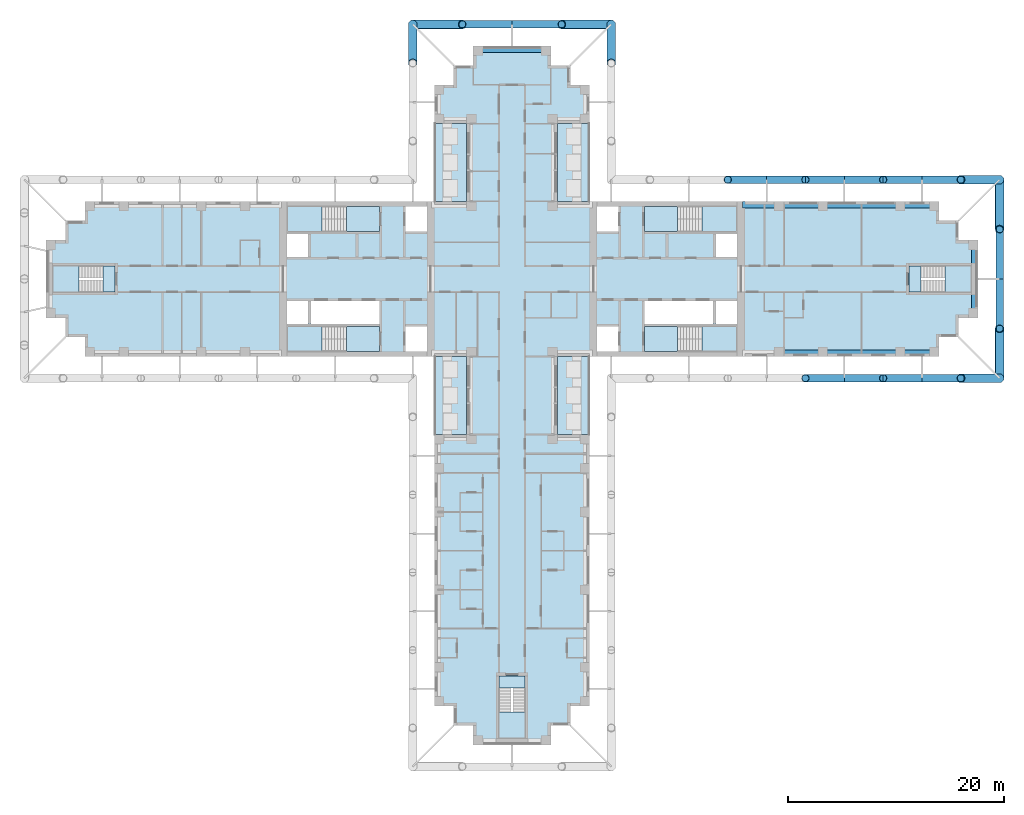
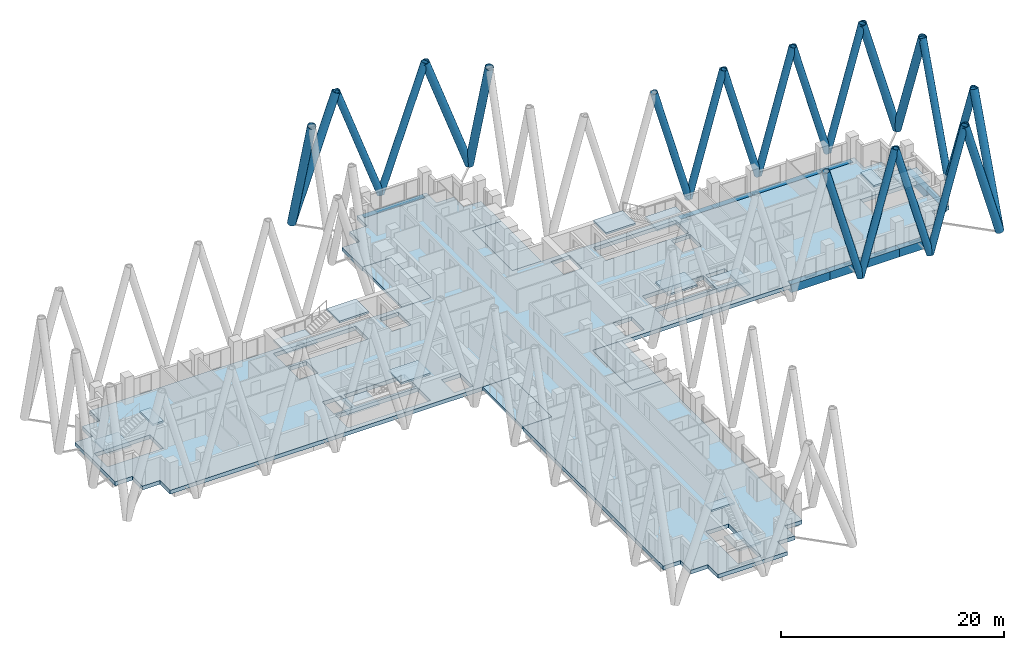
# One storey, part 2 of 14: 22 members, 19 slabs, 9 beams, 7 elements without a shape of their own.
"""IFC4 building model written with IfcOpenShell, lengths in metres."""

from ifc_helpers import new_model, si_unit, direction, frame, origin, origin_2d, place, context, subcontext, project, spatial, polyline, rectangle, hollow_circle, outline, extrude, material, layer, layer_set, material_profile, profile_set, type_object, element, aggregate, save


model = new_model("IFC4")

# Units and contexts
model_context = context("Model", 3, precision=1e-05, world=origin(), true_north=direction((0.0, 1.0)))
body_context = subcontext(model_context, "Body", "Model", "MODEL_VIEW")
ifc_project = project(units=[si_unit("LENGTHUNIT", "METRE"), si_unit("AREAUNIT", "SQUARE_METRE"), si_unit("VOLUMEUNIT", "CUBIC_METRE"), si_unit("PLANEANGLEUNIT", "RADIAN"), si_unit("MASSUNIT", "GRAM", prefix="KILO")], contexts=[model_context])

# Site, building, storey
site_placement = place(None, origin())
site = spatial("IfcSite", under=ifc_project, at=site_placement, CompositionType="ELEMENT")
building_placement = place(site_placement, origin())
building = spatial("IfcBuilding", under=site, at=building_placement, Name="Fustian Cross Tower", CompositionType="ELEMENT")
storey_placement = place(building_placement, frame((0.0, 0.0, 102.89990234375)))
storey = spatial("IfcBuildingStorey", under=building, at=storey_placement, Name="L32", CompositionType="ELEMENT", Elevation=102.89990234375)

# Members
ifc_material_1 = material(Name="Steel S355", Category="steel")
ifc_material_profile_1 = material_profile(ifc_material_1, hollow_circle(Radius=0.355712890625, WallThickness=0.031982421875, at=origin_2d()), Name="CHS 711x32")
ifc_profile_set_1 = profile_set([ifc_material_profile_1], Name="Steel S355")
member_type_1 = type_object("IfcMemberType", Name="DIAGRID DIAGONAL CHS 711x32", PredefinedType="BRACE", material=ifc_profile_set_1)
for number, where, z_axis, x_axis, name in (
    (1, (30.800048828125, -9.199951171875, 0.0), (-0.27075142585, 0.0, 0.962649295123), (0.0, -1.0, 0.0), "Diagrid diagonal E-S 06"),
    (2, (30.800048828125, -9.199951171875, 0.0), (0.270734410693, 0.0, 0.962654080585), (0.0, 1.0, 0.0), "Diagrid diagonal E-S 07"),
    (3, (38.0, -9.199951171875, 0.0), (-0.27075142585, 0.0, 0.962649295123), (0.0, -1.0, 0.0), "Diagrid diagonal E-S 08"),
    (4, (38.0, -9.199951171875, 0.0), (0.27075142585, 0.0, 0.962649295123), (0.0, 1.0, 0.0), "Diagrid diagonal E-S 09"),
):
    element("IfcMember", number, at=place(storey_placement, frame(where, z_axis=z_axis, x_axis=x_axis)), inside=storey, type_object=member_type_1, Name=name, PredefinedType="BRACE", context=body_context, shape_type="SweptSolid", body=[
        extrude(hollow_circle(Radius=0.355712890625, WallThickness=0.031982421875, at=origin_2d()), origin(), (0.0, 0.0, 1.0), 13.296630859375),
    ])
for number, where, z_axis, x_axis, name in (
    (5, (45.199951171875, 0.0, 0.0), (0.0, -0.338203942177, 0.941072841759), (1.0, 0.0, 0.0), "Diagrid diagonal E-end 02"),
    (6, (45.199951171875, 0.0, 0.0), (0.0, 0.338203942177, 0.941072841759), (-1.0, 0.0, 0.0), "Diagrid diagonal E-end 03"),
):
    element("IfcMember", number, at=place(storey_placement, frame(where, z_axis=z_axis, x_axis=x_axis)), inside=storey, type_object=member_type_1, Name=name, PredefinedType="BRACE", context=body_context, shape_type="SweptSolid", body=[
        extrude(hollow_circle(Radius=0.355712890625, WallThickness=0.031982421875, at=origin_2d()), origin(), (0.0, 0.0, 1.0), 13.6015625),
    ])
for number, where, z_axis, x_axis, name in (
    (7, (38.0, 9.199951171875, 0.0), (0.27075142585, 0.0, 0.962649295123), (0.0, 1.0, 0.0), "Diagrid diagonal E-N 02"),
    (8, (38.0, 9.199951171875, 0.0), (-0.27075142585, 0.0, 0.962649295123), (0.0, -1.0, 0.0), "Diagrid diagonal E-N 03"),
    (9, (30.800048828125, 9.199951171875, 0.0), (0.270734410693, 0.0, 0.962654080585), (0.0, 1.0, 0.0), "Diagrid diagonal E-N 04"),
    (10, (30.800048828125, 9.199951171875, 0.0), (-0.27075142585, 0.0, 0.962649295123), (0.0, -1.0, 0.0), "Diagrid diagonal E-N 05"),
    (11, (23.60009765625, 9.199951171875, 0.0), (0.270734410693, 0.0, 0.962654080585), (0.0, 1.0, 0.0), "Diagrid diagonal E-N 06"),
    (12, (23.60009765625, 9.199951171875, 0.0), (-0.27075142585, 0.0, 0.962649295123), (0.0, -1.0, 0.0), "Diagrid diagonal E-N 07"),
):
    element("IfcMember", number, at=place(storey_placement, frame(where, z_axis=z_axis, x_axis=x_axis)), inside=storey, type_object=member_type_1, Name=name, PredefinedType="BRACE", context=body_context, shape_type="SweptSolid", body=[
        extrude(hollow_circle(Radius=0.355712890625, WallThickness=0.031982421875, at=origin_2d()), origin(), (0.0, 0.0, 1.0), 13.296630859375),
    ])
for number, where, z_axis, x_axis, name in (
    (13, (0.0, 23.60009765625, 0.0), (0.338203942177, 0.0, 0.941072841759), (0.0, 1.0, 0.0), "Diagrid diagonal N-end 02"),
    (14, (0.0, 23.60009765625, 0.0), (-0.338203942177, 0.0, 0.941072841759), (0.0, -1.0, 0.0), "Diagrid diagonal N-end 03"),
):
    element("IfcMember", number, at=place(storey_placement, frame(where, z_axis=z_axis, x_axis=x_axis)), inside=storey, type_object=member_type_1, Name=name, PredefinedType="BRACE", context=body_context, shape_type="SweptSolid", body=[
        extrude(hollow_circle(Radius=0.355712890625, WallThickness=0.031982421875, at=origin_2d()), origin(), (0.0, 0.0, 1.0), 13.6015625),
    ])
ifc_material_2 = material(Name="Steel S355", Category="steel")
ifc_material_profile_2 = material_profile(ifc_material_2, hollow_circle(Radius=0.406494140625, WallThickness=0.0400390625, at=origin_2d()), Name="CHS 813x40")
ifc_profile_set_2 = profile_set([ifc_material_profile_2], Name="Steel S355")
member_type_2 = type_object("IfcMemberType", Name="DIAGRID DIAGONAL CHS 813x40", PredefinedType="BRACE", material=ifc_profile_set_2)
member_1_placement = place(storey_placement, frame((45.199951171875, -9.199951171875, 0.0), z_axis=(-0.270734410693, 0.0, 0.962654080585), x_axis=(0.0, -1.0, 0.0)))
element("IfcMember", 15, at=member_1_placement, inside=storey, type_object=member_type_2, Name="Diagrid diagonal E-S 10", PredefinedType="BRACE", context=body_context, shape_type="SweptSolid", body=[
    extrude(hollow_circle(Radius=0.406494140625, WallThickness=0.0400390625, at=origin_2d()), origin(), (0.0, 0.0, 1.0), 13.296630859375),
])
for number, where, z_axis, x_axis, name in (
    (16, (45.199951171875, -9.199951171875, 0.0), (0.0, 0.338188045656, 0.941078554519), (-1.0, 0.0, 0.0), "Diagrid diagonal E-end 01"),
    (17, (45.199951171875, 9.199951171875, 0.0), (0.0, -0.338188045656, 0.941078554519), (1.0, 0.0, 0.0), "Diagrid diagonal E-end 04"),
):
    element("IfcMember", number, at=place(storey_placement, frame(where, z_axis=z_axis, x_axis=x_axis)), inside=storey, type_object=member_type_2, Name=name, PredefinedType="BRACE", context=body_context, shape_type="SweptSolid", body=[
        extrude(hollow_circle(Radius=0.406494140625, WallThickness=0.0400390625, at=origin_2d()), origin(), (0.0, 0.0, 1.0), 13.6015625),
    ])
for number, where, z_axis, x_axis, name in (
    (18, (45.199951171875, 9.199951171875, 0.0), (-0.270734410693, 0.0, 0.962654080585), (0.0, -1.0, 0.0), "Diagrid diagonal E-N 01"),
    (19, (9.199951171875, 23.60009765625, 0.0), (0.0, -0.27075142585, 0.962649295123), (1.0, 0.0, 0.0), "Diagrid diagonal N-E 04"),
):
    element("IfcMember", number, at=place(storey_placement, frame(where, z_axis=z_axis, x_axis=x_axis)), inside=storey, type_object=member_type_2, Name=name, PredefinedType="BRACE", context=body_context, shape_type="SweptSolid", body=[
        extrude(hollow_circle(Radius=0.406494140625, WallThickness=0.0400390625, at=origin_2d()), origin(), (0.0, 0.0, 1.0), 13.296630859375),
    ])
for number, where, z_axis, x_axis, name in (
    (20, (9.199951171875, 23.60009765625, 0.0), (-0.338188045656, 0.0, 0.941078554519), (0.0, -1.0, 0.0), "Diagrid diagonal N-end 01"),
    (21, (-9.199951171875, 23.60009765625, 0.0), (0.338188045656, 0.0, 0.941078554519), (0.0, 1.0, 0.0), "Diagrid diagonal N-end 04"),
):
    element("IfcMember", number, at=place(storey_placement, frame(where, z_axis=z_axis, x_axis=x_axis)), inside=storey, type_object=member_type_2, Name=name, PredefinedType="BRACE", context=body_context, shape_type="SweptSolid", body=[
        extrude(hollow_circle(Radius=0.406494140625, WallThickness=0.0400390625, at=origin_2d()), origin(), (0.0, 0.0, 1.0), 13.6015625),
    ])
member_2_placement = place(storey_placement, frame((-9.199951171875, 23.60009765625, 0.0), z_axis=(0.0, -0.27075142585, 0.962649295123), x_axis=(1.0, 0.0, 0.0)))
element("IfcMember", 22, at=member_2_placement, inside=storey, type_object=member_type_2, Name="Diagrid diagonal N-W 01", PredefinedType="BRACE", context=body_context, shape_type="SweptSolid", body=[
    extrude(hollow_circle(Radius=0.406494140625, WallThickness=0.0400390625, at=origin_2d()), origin(), (0.0, 0.0, 1.0), 13.296630859375),
])

# Beams
ifc_material_3 = material(Name="Concrete C50/60", Category="concrete")
ifc_material_profile_3 = material_profile(ifc_material_3, rectangle(XDim=0.60009765625, YDim=0.89990234375, at=origin_2d()), Name="RC 600x900")
ifc_profile_set_3 = profile_set([ifc_material_profile_3], Name="Concrete C50/60")
beam_type = type_object("IfcBeamType", Name="EDGE BEAM RC 600x900 C50/60", PredefinedType="SPANDREL", material=ifc_profile_set_3)
beam_1_placement = place(storey_placement, frame((24.75, -6.89990234375, -0.449951171875), z_axis=(1.0, 0.0, 0.0), x_axis=(0.0, 1.0, 0.0)))
element("IfcBeam", 23, at=beam_1_placement, inside=storey, type_object=beam_type, Name="EDGE BEAM L32-02", PredefinedType="SPANDREL", context=body_context, shape_type="SweptSolid", body=[
    extrude(rectangle(XDim=0.60009765625, YDim=0.89990234375, at=origin_2d()), origin(), (0.0, 0.0, 1.0), 4.050048828125),
])
beam_2_placement = place(storey_placement, frame((28.800048828125, -6.89990234375, -0.449951171875), z_axis=(1.0, 0.0, 0.0), x_axis=(0.0, 1.0, 0.0)))
element("IfcBeam", 24, at=beam_2_placement, inside=storey, type_object=beam_type, Name="EDGE BEAM L32-03", PredefinedType="SPANDREL", context=body_context, shape_type="SweptSolid", body=[
    extrude(rectangle(XDim=0.60009765625, YDim=0.89990234375, at=origin_2d()), origin(), (0.0, 0.0, 1.0), 7.199951171875),
])
beam_3_placement = place(storey_placement, frame((36.0, -6.89990234375, -0.449951171875), z_axis=(1.0, 0.0, 0.0), x_axis=(0.0, 1.0, 0.0)))
element("IfcBeam", 25, at=beam_3_placement, inside=storey, type_object=beam_type, Name="EDGE BEAM L32-04", PredefinedType="SPANDREL", context=body_context, shape_type="SweptSolid", body=[
    extrude(rectangle(XDim=0.60009765625, YDim=0.89990234375, at=origin_2d()), origin(), (0.0, 0.0, 1.0), 3.14990234375),
])
beam_4_placement = place(storey_placement, frame((42.89990234375, -3.14990234375, -0.449951171875), z_axis=(0.0, 1.0, 0.0), x_axis=(-1.0, 0.0, 0.0)))
element("IfcBeam", 26, at=beam_4_placement, inside=storey, type_object=beam_type, Name="EDGE BEAM L32-05", PredefinedType="SPANDREL", context=body_context, shape_type="SweptSolid", body=[
    extrude(rectangle(XDim=0.60009765625, YDim=0.89990234375, at=origin_2d()), origin(), (0.0, 0.0, 1.0), 6.2998046875),
])
beam_5_placement = place(storey_placement, frame((39.14990234375, 6.89990234375, -0.449951171875), z_axis=(-1.0, 0.0, 0.0), x_axis=(0.0, -1.0, 0.0)))
element("IfcBeam", 27, at=beam_5_placement, inside=storey, type_object=beam_type, Name="EDGE BEAM L32-06", PredefinedType="SPANDREL", context=body_context, shape_type="SweptSolid", body=[
    extrude(rectangle(XDim=0.60009765625, YDim=0.89990234375, at=origin_2d()), origin(), (0.0, 0.0, 1.0), 3.14990234375),
])
beam_6_placement = place(storey_placement, frame((36.0, 6.89990234375, -0.449951171875), z_axis=(-1.0, 0.0, 0.0), x_axis=(0.0, -1.0, 0.0)))
element("IfcBeam", 28, at=beam_6_placement, inside=storey, type_object=beam_type, Name="EDGE BEAM L32-07", PredefinedType="SPANDREL", context=body_context, shape_type="SweptSolid", body=[
    extrude(rectangle(XDim=0.60009765625, YDim=0.89990234375, at=origin_2d()), origin(), (0.0, 0.0, 1.0), 7.199951171875),
])
beam_7_placement = place(storey_placement, frame((28.800048828125, 6.89990234375, -0.449951171875), z_axis=(-1.0, 0.0, 0.0), x_axis=(0.0, -1.0, 0.0)))
element("IfcBeam", 29, at=beam_7_placement, inside=storey, type_object=beam_type, Name="EDGE BEAM L32-08", PredefinedType="SPANDREL", context=body_context, shape_type="SweptSolid", body=[
    extrude(rectangle(XDim=0.60009765625, YDim=0.89990234375, at=origin_2d()), origin(), (0.0, 0.0, 1.0), 4.050048828125),
])
beam_8_placement = place(storey_placement, frame((24.75, 6.89990234375, -0.449951171875), z_axis=(-1.0, 0.0, 0.0), x_axis=(0.0, -1.0, 0.0)))
element("IfcBeam", 30, at=beam_8_placement, inside=storey, type_object=beam_type, Name="EDGE BEAM L32-09", PredefinedType="SPANDREL", context=body_context, shape_type="SweptSolid", body=[
    extrude(rectangle(XDim=0.60009765625, YDim=0.89990234375, at=origin_2d()), origin(), (0.0, 0.0, 1.0), 3.39990234375),
])
beam_9_placement = place(storey_placement, frame((3.14990234375, 21.300048828125, -0.449951171875), z_axis=(-1.0, 0.0, 0.0), x_axis=(0.0, -1.0, 0.0)))
element("IfcBeam", 31, at=beam_9_placement, inside=storey, type_object=beam_type, Name="EDGE BEAM L32-14", PredefinedType="SPANDREL", context=body_context, shape_type="SweptSolid", body=[
    extrude(rectangle(XDim=0.60009765625, YDim=0.89990234375, at=origin_2d()), origin(), (0.0, 0.0, 1.0), 6.2998046875),
])

# Slabs
ifc_material_4 = material(Name="Concrete C40/50", Category="concrete")
ifc_layer_1 = layer(ifc_material_4, 0.300048828125)
ifc_layer_set_1 = layer_set([ifc_layer_1], Name="Concrete C40/50")
slab_type_1 = type_object("IfcSlabType", Name="BS1 BALCONY SLAB 300", PredefinedType="FLOOR", material=ifc_layer_set_1)
slab_1_placement = place(storey_placement, frame((0.0, 0.0, -0.2998046875)))
element("IfcSlab", 32, at=slab_1_placement, inside=storey, type_object=slab_type_1, Name="Balcony slab", PredefinedType="FLOOR", context=body_context, shape_type="SweptSolid", body=[
    extrude(outline(polyline([(4.199951171875, 7.199951171875), (7.199951171875, 7.199951171875), (7.199951171875, 14.39990234375), (4.199951171875, 14.39990234375), (4.199951171875, 7.199951171875)])), origin(), (0.0, 0.0, 1.0), 0.2998046875),
])
slab_2_placement = place(storey_placement, frame((0.0, 0.0, -0.2998046875)))
element("IfcSlab", 33, at=slab_2_placement, inside=storey, type_object=slab_type_1, Name="Balcony slab", PredefinedType="FLOOR", context=body_context, shape_type="SweptSolid", body=[
    extrude(outline(polyline([(-7.199951171875, 7.199951171875), (-4.199951171875, 7.199951171875), (-4.199951171875, 14.39990234375), (-7.199951171875, 14.39990234375), (-7.199951171875, 7.199951171875)])), origin(), (0.0, 0.0, 1.0), 0.2998046875),
])
slab_3_placement = place(storey_placement, frame((0.0, 0.0, -0.2998046875)))
element("IfcSlab", 34, at=slab_3_placement, inside=storey, type_object=slab_type_1, Name="Balcony slab", PredefinedType="FLOOR", context=body_context, shape_type="SweptSolid", body=[
    extrude(outline(polyline([(4.199951171875, -14.39990234375), (7.199951171875, -14.39990234375), (7.199951171875, -7.199951171875), (4.199951171875, -7.199951171875), (4.199951171875, -14.39990234375)])), origin(), (0.0, 0.0, 1.0), 0.2998046875),
])
slab_4_placement = place(storey_placement, frame((0.0, 0.0, -0.2998046875)))
element("IfcSlab", 35, at=slab_4_placement, inside=storey, type_object=slab_type_1, Name="Balcony slab", PredefinedType="FLOOR", context=body_context, shape_type="SweptSolid", body=[
    extrude(outline(polyline([(-7.199951171875, -14.39990234375), (-4.199951171875, -14.39990234375), (-4.199951171875, -7.199951171875), (-7.199951171875, -7.199951171875), (-7.199951171875, -14.39990234375)])), origin(), (0.0, 0.0, 1.0), 0.2998046875),
])
ifc_material_5 = material(Name="Concrete C40/50", Category="concrete")
ifc_layer_2 = layer(ifc_material_5, 0.425048828125)
ifc_layer_set_2 = layer_set([ifc_layer_2], Name="Concrete C40/50")
slab_type_2 = type_object("IfcSlabType", Name="FLAT SLAB 425", PredefinedType="FLOOR", material=ifc_layer_set_2)
slab_5_placement = place(storey_placement, frame((0.0, 0.0, -0.4248046875)))
element("IfcSlab", 36, at=slab_5_placement, inside=storey, type_object=slab_type_2, Name="FLOOR SLAB L32-1", PredefinedType="FLOOR", context=body_context, shape_type="SweptSolid", body=[
    extrude(outline(polyline([(-4.199951171875, -7.199951171875), (-39.60009765625, -7.199951171875), (-39.60009765625, -5.39990234375), (-41.39990234375, -5.39990234375), (-41.39990234375, -3.60009765625), (-43.199951171875, -3.60009765625), (-43.199951171875, 3.60009765625), (-41.39990234375, 3.60009765625), (-41.39990234375, 5.39990234375), (-39.60009765625, 5.39990234375), (-39.60009765625, 7.199951171875), (-4.199951171875, 7.199951171875), (-4.199951171875, 14.39990234375), (-7.199951171875, 14.39990234375), (-7.199951171875, 18.0), (-5.39990234375, 18.0), (-5.39990234375, 19.800048828125), (-3.60009765625, 19.800048828125), (-3.60009765625, 21.60009765625), (3.60009765625, 21.60009765625), (3.60009765625, 19.800048828125), (5.39990234375, 19.800048828125), (5.39990234375, 18.0), (7.199951171875, 18.0), (7.199951171875, 14.39990234375), (4.199951171875, 14.39990234375), (4.199951171875, 7.199951171875), (39.60009765625, 7.199951171875), (39.60009765625, 5.39990234375), (41.39990234375, 5.39990234375), (41.39990234375, 3.60009765625), (43.199951171875, 3.60009765625), (43.199951171875, -3.60009765625), (41.39990234375, -3.60009765625), (41.39990234375, -5.39990234375), (39.60009765625, -5.39990234375), (39.60009765625, -7.199951171875), (4.199951171875, -7.199951171875), (4.199951171875, -14.39990234375), (7.199951171875, -14.39990234375), (7.199951171875, -39.60009765625), (5.39990234375, -39.60009765625), (5.39990234375, -41.39990234375), (3.60009765625, -41.39990234375), (3.60009765625, -43.199951171875), (-3.60009765625, -43.199951171875), (-3.60009765625, -41.39990234375), (-5.39990234375, -41.39990234375), (-5.39990234375, -39.60009765625), (-7.199951171875, -39.60009765625), (-7.199951171875, -14.39990234375), (-4.199951171875, -14.39990234375), (-4.199951171875, -7.199951171875)]), holes=[polyline([(20.85009765625, -2.050048828125), (18.89990234375, -2.050048828125), (18.89990234375, -4.14990234375), (20.85009765625, -4.14990234375), (20.85009765625, -2.050048828125)]), polyline([(20.85009765625, 2.050048828125), (20.85009765625, 4.14990234375), (18.89990234375, 4.14990234375), (18.89990234375, 2.050048828125), (20.85009765625, 2.050048828125)]), polyline([(7.89990234375, 4.39990234375), (9.85009765625, 4.39990234375), (9.85009765625, 6.699951171875), (7.89990234375, 6.699951171875), (7.89990234375, 4.39990234375)]), polyline([(7.89990234375, -4.39990234375), (7.89990234375, -6.699951171875), (9.85009765625, -6.699951171875), (9.85009765625, -4.39990234375), (7.89990234375, -4.39990234375)]), polyline([(-18.89990234375, -2.050048828125), (-20.85009765625, -2.050048828125), (-20.85009765625, -4.14990234375), (-18.89990234375, -4.14990234375), (-18.89990234375, -2.050048828125)]), polyline([(-18.89990234375, 2.050048828125), (-18.89990234375, 4.14990234375), (-20.85009765625, 4.14990234375), (-20.85009765625, 2.050048828125), (-18.89990234375, 2.050048828125)]), polyline([(-9.85009765625, 4.39990234375), (-7.89990234375, 4.39990234375), (-7.89990234375, 6.699951171875), (-9.85009765625, 6.699951171875), (-9.85009765625, 4.39990234375)]), polyline([(-9.85009765625, -4.39990234375), (-9.85009765625, -6.699951171875), (-7.89990234375, -6.699951171875), (-7.89990234375, -4.39990234375), (-9.85009765625, -4.39990234375)]), polyline([(18.64990234375, -2.050048828125), (12.300048828125, -2.050048828125), (12.300048828125, -4.14990234375), (18.64990234375, -4.14990234375), (18.64990234375, -2.050048828125)]), polyline([(-12.300048828125, -4.14990234375), (-12.300048828125, -2.050048828125), (-18.64990234375, -2.050048828125), (-18.64990234375, -4.14990234375), (-12.300048828125, -4.14990234375)]), polyline([(12.300048828125, 4.39990234375), (20.85009765625, 4.39990234375), (20.85009765625, 6.699951171875), (12.300048828125, 6.699951171875), (12.300048828125, 4.39990234375)]), polyline([(12.300048828125, -4.39990234375), (12.300048828125, -6.699951171875), (20.85009765625, -6.699951171875), (20.85009765625, -4.39990234375), (12.300048828125, -4.39990234375)]), polyline([(-12.300048828125, 6.699951171875), (-20.85009765625, 6.699951171875), (-20.85009765625, 4.39990234375), (-12.300048828125, 4.39990234375), (-12.300048828125, 6.699951171875)]), polyline([(-12.300048828125, -6.699951171875), (-12.300048828125, -4.39990234375), (-20.85009765625, -4.39990234375), (-20.85009765625, -6.699951171875), (-12.300048828125, -6.699951171875)]), polyline([(-1.199951171875, -42.60009765625), (1.199951171875, -42.60009765625), (1.199951171875, -36.800048828125), (-1.199951171875, -36.800048828125), (-1.199951171875, -42.60009765625)]), polyline([(36.800048828125, 1.199951171875), (36.800048828125, -1.199951171875), (42.60009765625, -1.199951171875), (42.60009765625, 1.199951171875), (36.800048828125, 1.199951171875)]), polyline([(-36.800048828125, 1.199951171875), (-42.60009765625, 1.199951171875), (-42.60009765625, -1.199951171875), (-36.800048828125, -1.199951171875), (-36.800048828125, 1.199951171875)])]), origin(), (0.0, 0.0, 1.0), 0.4248046875),
])

# Stair, slabs
ifc_material_6 = material(Name="Concrete C50/60", Category="concrete")
stair_type_1 = type_object("IfcStairType", Name="STAIR 1150 HALF TURN", PredefinedType="HALF_TURN_STAIR", material=ifc_material_6)
stair_1_placement = place(storey_placement, origin())
stair_1 = element("IfcStair", 37, at=stair_1_placement, inside=storey, type_object=stair_type_1, Name="Stair ST1", PredefinedType="HALF_TURN_STAIR")
ifc_material_7 = material(Name="Concrete C50/60", Category="concrete")
ifc_layer_3 = layer(ifc_material_7, 0.199951171875)
ifc_layer_set_3 = layer_set([ifc_layer_3], Name="Concrete C50/60")
slab_type_3 = type_object("IfcSlabType", Name="STAIR LANDING", PredefinedType="LANDING", material=ifc_layer_set_3)
slab_6_placement = place(storey_placement, frame((0.0, 0.0, 1.300048828125)))
slab_6 = element("IfcSlab", 38, at=slab_6_placement, type_object=slab_type_3, Name="ST1 landing 1", PredefinedType="LANDING", context=body_context, shape_type="SweptSolid", body=[
    extrude(outline(polyline([(17.590087890625, 4.39990234375), (20.85009765625, 4.39990234375), (20.85009765625, 6.699951171875), (17.590087890625, 6.699951171875), (17.590087890625, 4.39990234375)])), origin(), (0.0, 0.0, 1.0), 0.199951171875),
])
slab_7_placement = place(storey_placement, frame((0.0, 0.0, 2.800048828125)))
slab_7 = element("IfcSlab", 39, at=slab_7_placement, type_object=slab_type_3, Name="ST1 landing 2", PredefinedType="LANDING", context=body_context, shape_type="SweptSolid", body=[
    extrude(outline(polyline([(12.300048828125, 4.39990234375), (15.35009765625, 4.39990234375), (15.35009765625, 6.699951171875), (12.300048828125, 6.699951171875), (12.300048828125, 4.39990234375)])), origin(), (0.0, 0.0, 1.0), 0.199951171875),
])
aggregate(stair_1, [slab_6, slab_7])

stair_2_placement = place(storey_placement, origin())
stair_2 = element("IfcStair", 40, at=stair_2_placement, inside=storey, type_object=stair_type_1, Name="Stair ST2", PredefinedType="HALF_TURN_STAIR")
slab_8_placement = place(storey_placement, frame((0.0, 0.0, 1.300048828125)))
slab_8 = element("IfcSlab", 41, at=slab_8_placement, type_object=slab_type_3, Name="ST2 landing 1", PredefinedType="LANDING", context=body_context, shape_type="SweptSolid", body=[
    extrude(outline(polyline([(17.590087890625, -4.39990234375), (20.85009765625, -4.39990234375), (20.85009765625, -6.699951171875), (17.590087890625, -6.699951171875), (17.590087890625, -4.39990234375)])), origin(), (0.0, 0.0, 1.0), 0.199951171875),
])
slab_9_placement = place(storey_placement, frame((0.0, 0.0, 2.800048828125)))
slab_9 = element("IfcSlab", 42, at=slab_9_placement, type_object=slab_type_3, Name="ST2 landing 2", PredefinedType="LANDING", context=body_context, shape_type="SweptSolid", body=[
    extrude(outline(polyline([(12.300048828125, -4.39990234375), (15.35009765625, -4.39990234375), (15.35009765625, -6.699951171875), (12.300048828125, -6.699951171875), (12.300048828125, -4.39990234375)])), origin(), (0.0, 0.0, 1.0), 0.199951171875),
])
aggregate(stair_2, [slab_8, slab_9])

stair_3_placement = place(storey_placement, origin())
stair_3 = element("IfcStair", 43, at=stair_3_placement, inside=storey, type_object=stair_type_1, Name="Stair ST3", PredefinedType="HALF_TURN_STAIR")
slab_10_placement = place(storey_placement, frame((0.0, 0.0, 1.300048828125)))
slab_10 = element("IfcSlab", 44, at=slab_10_placement, type_object=slab_type_3, Name="ST3 landing 1", PredefinedType="LANDING", context=body_context, shape_type="SweptSolid", body=[
    extrude(outline(polyline([(-17.590087890625, 4.39990234375), (-20.85009765625, 4.39990234375), (-20.85009765625, 6.699951171875), (-17.590087890625, 6.699951171875), (-17.590087890625, 4.39990234375)])), origin(), (0.0, 0.0, 1.0), 0.199951171875),
])
slab_11_placement = place(storey_placement, frame((0.0, 0.0, 2.800048828125)))
slab_11 = element("IfcSlab", 45, at=slab_11_placement, type_object=slab_type_3, Name="ST3 landing 2", PredefinedType="LANDING", context=body_context, shape_type="SweptSolid", body=[
    extrude(outline(polyline([(-12.300048828125, 4.39990234375), (-15.35009765625, 4.39990234375), (-15.35009765625, 6.699951171875), (-12.300048828125, 6.699951171875), (-12.300048828125, 4.39990234375)])), origin(), (0.0, 0.0, 1.0), 0.199951171875),
])
aggregate(stair_3, [slab_10, slab_11])

stair_4_placement = place(storey_placement, origin())
stair_4 = element("IfcStair", 46, at=stair_4_placement, inside=storey, type_object=stair_type_1, Name="Stair ST4", PredefinedType="HALF_TURN_STAIR")
slab_12_placement = place(storey_placement, frame((0.0, 0.0, 1.300048828125)))
slab_12 = element("IfcSlab", 47, at=slab_12_placement, type_object=slab_type_3, Name="ST4 landing 1", PredefinedType="LANDING", context=body_context, shape_type="SweptSolid", body=[
    extrude(outline(polyline([(-17.590087890625, -4.39990234375), (-20.85009765625, -4.39990234375), (-20.85009765625, -6.699951171875), (-17.590087890625, -6.699951171875), (-17.590087890625, -4.39990234375)])), origin(), (0.0, 0.0, 1.0), 0.199951171875),
])
slab_13_placement = place(storey_placement, frame((0.0, 0.0, 2.800048828125)))
slab_13 = element("IfcSlab", 48, at=slab_13_placement, type_object=slab_type_3, Name="ST4 landing 2", PredefinedType="LANDING", context=body_context, shape_type="SweptSolid", body=[
    extrude(outline(polyline([(-12.300048828125, -4.39990234375), (-15.35009765625, -4.39990234375), (-15.35009765625, -6.699951171875), (-12.300048828125, -6.699951171875), (-12.300048828125, -4.39990234375)])), origin(), (0.0, 0.0, 1.0), 0.199951171875),
])
aggregate(stair_4, [slab_12, slab_13])

ifc_material_8 = material(Name="Concrete C50/60", Category="concrete")
stair_type_2 = type_object("IfcStairType", Name="STAIR 1100 HALF TURN", PredefinedType="HALF_TURN_STAIR", material=ifc_material_8)
stair_5_placement = place(storey_placement, origin())
stair_5 = element("IfcStair", 49, at=stair_5_placement, inside=storey, type_object=stair_type_2, Name="Stair ST6", PredefinedType="HALF_TURN_STAIR")
slab_14_placement = place(storey_placement, frame((0.0, 0.0, 1.300048828125)))
slab_14 = element("IfcSlab", 50, at=slab_14_placement, type_object=slab_type_3, Name="ST6 landing 1", PredefinedType="LANDING", context=body_context, shape_type="SweptSolid", body=[
    extrude(outline(polyline([(-1.199951171875, -40.139892578125), (-1.199951171875, -42.60009765625), (1.199951171875, -42.60009765625), (1.199951171875, -40.139892578125), (-1.199951171875, -40.139892578125)])), origin(), (0.0, 0.0, 1.0), 0.199951171875),
])
slab_15_placement = place(storey_placement, frame((0.0, 0.0, 2.800048828125)))
slab_15 = element("IfcSlab", 51, at=slab_15_placement, type_object=slab_type_3, Name="ST6 landing 2", PredefinedType="LANDING", context=body_context, shape_type="SweptSolid", body=[
    extrude(outline(polyline([(-1.199951171875, -36.800048828125), (-1.199951171875, -37.89990234375), (1.199951171875, -37.89990234375), (1.199951171875, -36.800048828125), (-1.199951171875, -36.800048828125)])), origin(), (0.0, 0.0, 1.0), 0.199951171875),
])
aggregate(stair_5, [slab_14, slab_15])

stair_6_placement = place(storey_placement, origin())
stair_6 = element("IfcStair", 52, at=stair_6_placement, inside=storey, type_object=stair_type_2, Name="Stair ST8", PredefinedType="HALF_TURN_STAIR")
slab_16_placement = place(storey_placement, frame((0.0, 0.0, 1.300048828125)))
slab_16 = element("IfcSlab", 53, at=slab_16_placement, type_object=slab_type_3, Name="ST8 landing 1", PredefinedType="LANDING", context=body_context, shape_type="SweptSolid", body=[
    extrude(outline(polyline([(40.139892578125, -1.199951171875), (42.60009765625, -1.199951171875), (42.60009765625, 1.199951171875), (40.139892578125, 1.199951171875), (40.139892578125, -1.199951171875)])), origin(), (0.0, 0.0, 1.0), 0.199951171875),
])
slab_17_placement = place(storey_placement, frame((0.0, 0.0, 2.800048828125)))
slab_17 = element("IfcSlab", 54, at=slab_17_placement, type_object=slab_type_3, Name="ST8 landing 2", PredefinedType="LANDING", context=body_context, shape_type="SweptSolid", body=[
    extrude(outline(polyline([(36.800048828125, -1.199951171875), (37.89990234375, -1.199951171875), (37.89990234375, 1.199951171875), (36.800048828125, 1.199951171875), (36.800048828125, -1.199951171875)])), origin(), (0.0, 0.0, 1.0), 0.199951171875),
])
aggregate(stair_6, [slab_16, slab_17])

stair_7_placement = place(storey_placement, origin())
stair_7 = element("IfcStair", 55, at=stair_7_placement, inside=storey, type_object=stair_type_2, Name="Stair ST9", PredefinedType="HALF_TURN_STAIR")
slab_18_placement = place(storey_placement, frame((0.0, 0.0, 1.300048828125)))
slab_18 = element("IfcSlab", 56, at=slab_18_placement, type_object=slab_type_3, Name="ST9 landing 1", PredefinedType="LANDING", context=body_context, shape_type="SweptSolid", body=[
    extrude(outline(polyline([(-40.139892578125, -1.199951171875), (-42.60009765625, -1.199951171875), (-42.60009765625, 1.199951171875), (-40.139892578125, 1.199951171875), (-40.139892578125, -1.199951171875)])), origin(), (0.0, 0.0, 1.0), 0.199951171875),
])
slab_19_placement = place(storey_placement, frame((0.0, 0.0, 2.800048828125)))
slab_19 = element("IfcSlab", 57, at=slab_19_placement, type_object=slab_type_3, Name="ST9 landing 2", PredefinedType="LANDING", context=body_context, shape_type="SweptSolid", body=[
    extrude(outline(polyline([(-36.800048828125, -1.199951171875), (-37.89990234375, -1.199951171875), (-37.89990234375, 1.199951171875), (-36.800048828125, 1.199951171875), (-36.800048828125, -1.199951171875)])), origin(), (0.0, 0.0, 1.0), 0.199951171875),
])
aggregate(stair_7, [slab_18, slab_19])

save(model, "model.ifc")
